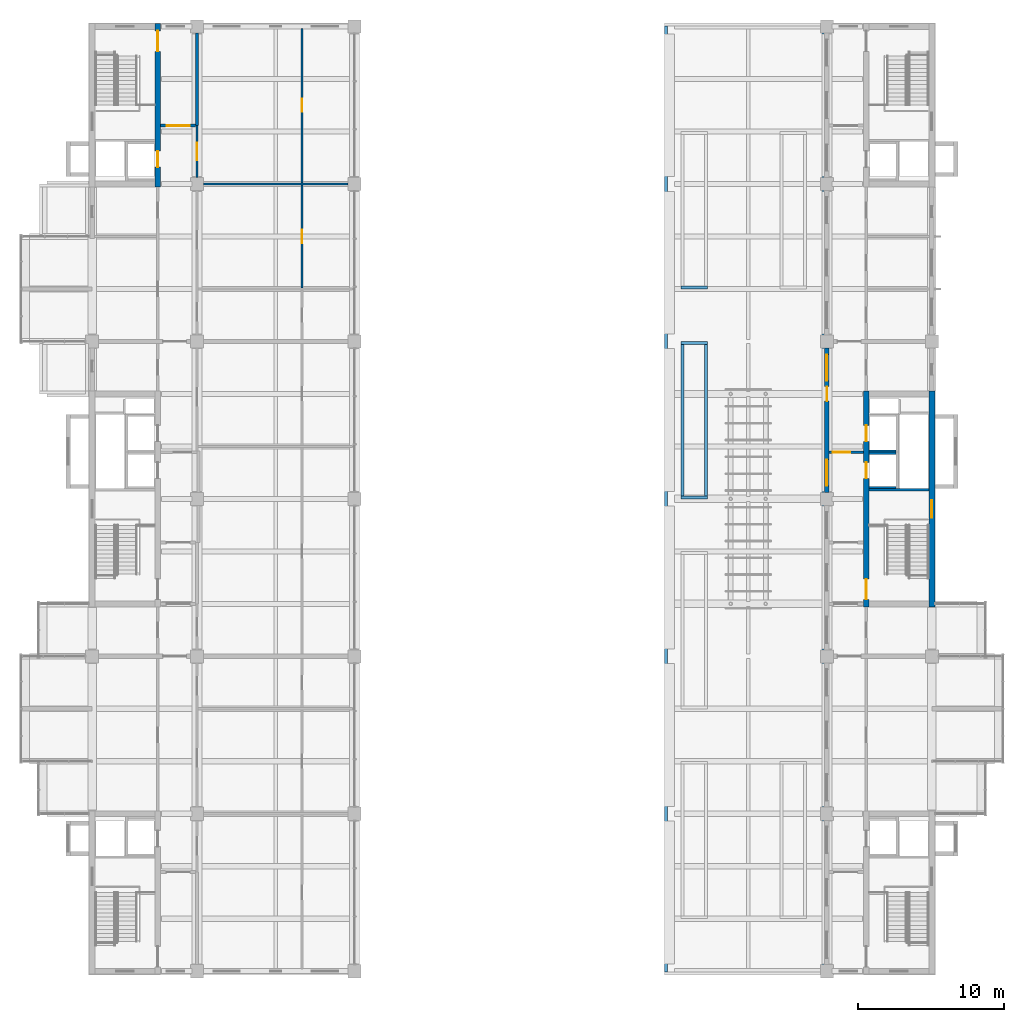
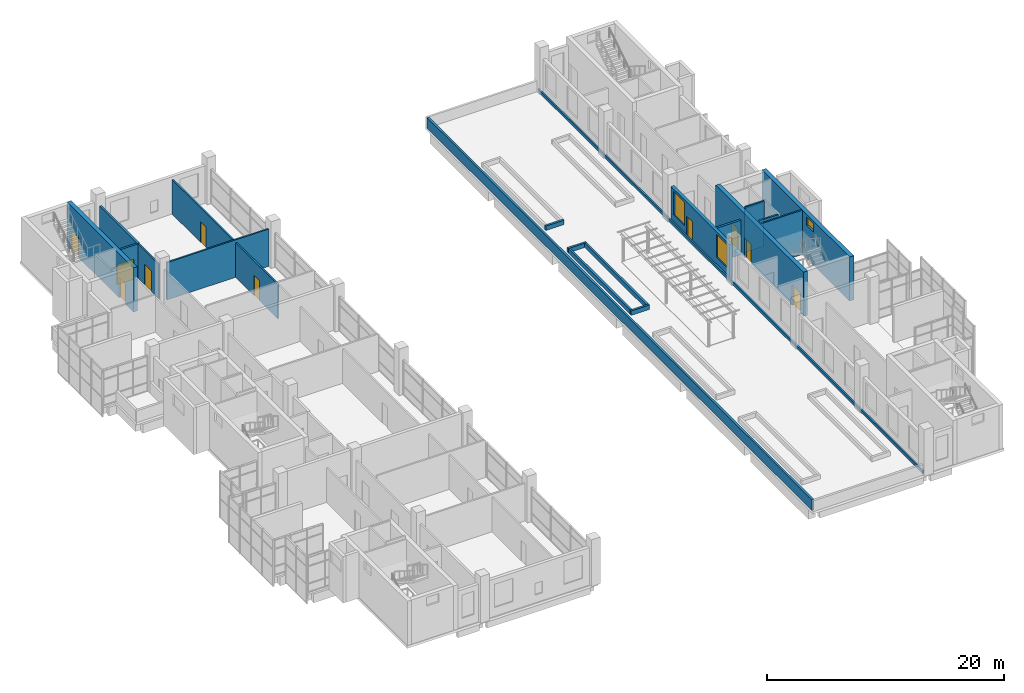
# One storey, part 26 of 32: 22 walls, 11 doors, 3 windows, 14 openings.
"""IFC4 building model written with IfcOpenShell, lengths in metres."""

from ifc_helpers import new_model, si_unit, direction, frame, frame_2d, origin, place, context, subcontext, project, spatial, rectangle, extrude, material, layer, layer_set, type_object, element, fill, save


model = new_model("IFC4")

# Units and contexts
model_context = context("Model", 3, precision=1e-05, world=origin(), true_north=direction((0.0, 1.0)))
body_context = subcontext(model_context, "Body", "Model", "MODEL_VIEW")
ifc_project = project(units=[si_unit("LENGTHUNIT", "METRE"), si_unit("AREAUNIT", "SQUARE_METRE"), si_unit("VOLUMEUNIT", "CUBIC_METRE"), si_unit("PLANEANGLEUNIT", "RADIAN"), si_unit("MASSUNIT", "GRAM", prefix="KILO")], contexts=[model_context])

# Site, building, storey
site_placement = place(None, origin())
site = spatial("IfcSite", under=ifc_project, at=site_placement, CompositionType="ELEMENT")
building_placement = place(site_placement, origin())
building = spatial("IfcBuilding", under=site, at=building_placement, Name="Basin Gate Institute", CompositionType="ELEMENT")
storey_placement = place(building_placement, frame((0.0, 0.0, 41.39990234375)))
storey = spatial("IfcBuildingStorey", under=building, at=storey_placement, Name="L08", CompositionType="ELEMENT", Elevation=41.39990234375)

# Wall, opening, door
ifc_material_1 = material(Name="Fire-rated masonry", Category="masonry")
ifc_layer_1 = layer(ifc_material_1, 0.199951171875)
ifc_layer_set_1 = layer_set([ifc_layer_1], Name="Enclosure wall PW2 200 EI 60")
wall_type_1 = type_object("IfcWallType", Name="Enclosure wall PW2 200 EI 60", PredefinedType="PARTITIONING", material=ifc_layer_set_1)
wall_1_placement = place(storey_placement, frame((65.89990234375, 93.10009765625, 0.0), z_axis=(0.0, 0.0, 1.0), x_axis=(1.0, 0.0, 0.0)))
wall_1 = element("IfcWall", 1, at=wall_1_placement, inside=storey, type_object=wall_type_1, material=ifc_layer_set_1, Name="Smoke lobby enclosure wall PW2 L08", PredefinedType="PARTITIONING", context=body_context, shape_type="SweptSolid", body=[
    extrude(rectangle(XDim=2.400146484375, YDim=0.199951171875, at=frame_2d((1.2001953125, 0.0))), origin(), (0.0, 0.0, 1.0), 3.550048828125),
])
opening_1_placement = place(wall_1_placement, frame((0.39990234375, 0.0, 0.0)))
opening_1 = element("IfcOpeningElement", 2, at=opening_1_placement, cuts=wall_1, Name="Opening DR406", PredefinedType="OPENING", context=body_context, shape_type="SweptSolid", body=[
    extrude(rectangle(XDim=1.60009765625, YDim=2.10009765625, at=frame_2d((0.800048828125, 1.050048828125))), frame((0.0, 0.10986328125, 0.0), z_axis=(0.0, -1.0, 0.0), x_axis=(1.0, 0.0, 0.0)), (0.0, 0.0, 1.0), 0.219970703125),
])
ifc_material_2 = material(Name="Steel fire door", Category="steel")
door_type_1 = type_object("IfcDoorType", Name="FD60 Smoke lobby door pair D8", OperationType="DOUBLE_DOOR_SINGLE_SWING", PredefinedType="DOOR", material=ifc_material_2)
door_1_placement = place(opening_1_placement, origin())
door_1 = element("IfcDoor", 3, at=door_1_placement, inside=storey, type_object=door_type_1, material=ifc_material_2, Name="Smoke lobby door SS3 L08", OperationType="DOUBLE_DOOR_SINGLE_SWING", OverallHeight=2.10009765625, OverallWidth=1.60009765625, PredefinedType="DOOR", context=body_context, shape_type="SweptSolid", body=[
    extrude(rectangle(XDim=1.60009765625, YDim=2.10009765625, at=frame_2d((0.800048828125, 1.050048828125))), frame((0.0, 0.02490234375, 0.0), z_axis=(0.0, -1.0, 0.0), x_axis=(1.0, 0.0, 0.0)), (0.0, 0.0, 1.0), 0.050048828125),
])
fill(opening_1, door_1)

# Wall
wall_2_placement = place(storey_placement, frame((68.39990234375, 93.10009765625, 0.0), z_axis=(0.0, 0.0, 1.0), x_axis=(0.0, 1.0, 0.0)))
element("IfcWall", 4, at=wall_2_placement, inside=storey, type_object=wall_type_1, material=ifc_layer_set_1, Name="Smoke lobby enclosure wall PW2 L08", PredefinedType="PARTITIONING", context=body_context, shape_type="SweptSolid", body=[
    extrude(rectangle(XDim=6.349853515625, YDim=0.199951171875, at=frame_2d((3.1748046875, 0.0))), origin(), (0.0, 0.0, 1.0), 3.550048828125),
])

# Wall, opening, door
wall_3_placement = place(storey_placement, frame((114.10009765625, 70.699951171875, 0.0), z_axis=(0.0, 0.0, 1.0), x_axis=(-1.0, 0.0, 0.0)))
wall_3 = element("IfcWall", 5, at=wall_3_placement, inside=storey, type_object=wall_type_1, material=ifc_layer_set_1, Name="Emergency lift lobby wall PW2 L08", PredefinedType="PARTITIONING", context=body_context, shape_type="SweptSolid", body=[
    extrude(rectangle(XDim=2.35009765625, YDim=0.199951171875, at=frame_2d((1.175048828125, 0.0))), origin(), (0.0, 0.0, 1.0), 3.550048828125),
])
opening_2_placement = place(wall_3_placement, frame((0.89990234375, 0.0, 0.0)))
opening_2 = element("IfcOpeningElement", 6, at=opening_2_placement, cuts=wall_3, Name="Opening DR374", PredefinedType="OPENING", context=body_context, shape_type="SweptSolid", body=[
    extrude(rectangle(XDim=1.199951171875, YDim=2.10009765625, at=frame_2d((0.60009765625, 1.050048828125))), frame((0.0, 0.10986328125, 0.0), z_axis=(0.0, -1.0, 0.0), x_axis=(1.0, 0.0, 0.0)), (0.0, 0.0, 1.0), 0.219970703125),
])
ifc_material_3 = material(Name="Steel fire door", Category="steel")
door_type_2 = type_object("IfcDoorType", Name="FD60 Emergency lift lobby door D9", OperationType="NOTDEFINED", PredefinedType="DOOR", material=ifc_material_3)
door_2_placement = place(opening_2_placement, origin())
door_2 = element("IfcDoor", 7, at=door_2_placement, inside=storey, type_object=door_type_2, material=ifc_material_3, Name="Emergency lift lobby door LF2 L08", OperationType="SINGLE_SWING_RIGHT", OverallHeight=2.10009765625, OverallWidth=1.199951171875, PredefinedType="DOOR", context=body_context, shape_type="SweptSolid", body=[
    extrude(rectangle(XDim=1.199951171875, YDim=2.10009765625, at=frame_2d((0.60009765625, 1.050048828125))), frame((0.0, 0.02490234375, 0.0), z_axis=(0.0, -1.0, 0.0), x_axis=(1.0, 0.0, 0.0)), (0.0, 0.0, 1.0), 0.050048828125),
])
fill(opening_2, door_2)

# Wall, openings, windows, door
ifc_material_4 = material(Name="Aluminium-faced insulated panel wall", Category="aluminium")
ifc_layer_2 = layer(ifc_material_4, 0.300048828125)
ifc_layer_set_2 = layer_set([ifc_layer_2], Name="External wall EW1 EI 120")
wall_type_2 = type_object("IfcWallType", Name="External wall EW1 EI 120", PredefinedType="STANDARD", material=ifc_layer_set_2)
wall_4_placement = place(storey_placement, frame((111.60009765625, 67.949951171875, 0.0), z_axis=(0.0, 0.0, 1.0), x_axis=(0.0, 1.0, 0.0)))
wall_4 = element("IfcWall", 8, at=wall_4_placement, inside=storey, type_object=wall_type_2, material=ifc_layer_set_2, Name="External wall E step face L08 bay 4", PredefinedType="STANDARD", context=body_context, shape_type="SweptSolid", body=[
    extrude(rectangle(XDim=9.900146484375, YDim=0.300048828125, at=frame_2d((4.9501953125, 0.0))), origin(), (0.0, 0.0, 1.0), 3.550048828125),
])
opening_3_placement = place(wall_4_placement, frame((0.449951171875, 0.0, 0.89990234375)))
opening_3 = element("IfcOpeningElement", 9, at=opening_3_placement, cuts=wall_4, Name="Opening WN6", PredefinedType="OPENING", context=body_context, shape_type="SweptSolid", body=[
    extrude(rectangle(XDim=1.800048828125, YDim=2.39990234375, at=frame_2d((0.89990234375, 1.199951171875))), frame((0.0, 0.16015625, 0.0), z_axis=(0.0, -1.0, 0.0), x_axis=(1.0, 0.0, 0.0)), (0.0, 0.0, 1.0), 0.320068359375),
])
opening_4_placement = place(wall_4_placement, frame((7.64990234375, 0.0, 0.89990234375)))
opening_4 = element("IfcOpeningElement", 10, at=opening_4_placement, cuts=wall_4, Name="Opening WN1", PredefinedType="OPENING", context=body_context, shape_type="SweptSolid", body=[
    extrude(rectangle(XDim=1.800048828125, YDim=2.39990234375, at=frame_2d((0.89990234375, 1.199951171875))), frame((0.0, 0.16015625, 0.0), z_axis=(0.0, -1.0, 0.0), x_axis=(1.0, 0.0, 0.0)), (0.0, 0.0, 1.0), 0.320068359375),
])
opening_5_placement = place(wall_4_placement, frame((6.25, 0.0, 0.0)))
opening_5 = element("IfcOpeningElement", 11, at=opening_5_placement, cuts=wall_4, Name="Opening DG1", PredefinedType="OPENING", context=body_context, shape_type="SweptSolid", body=[
    extrude(rectangle(XDim=1.0, YDim=2.10009765625, at=frame_2d((0.5, 1.050048828125))), frame((0.0, 0.16015625, 0.0), z_axis=(0.0, -1.0, 0.0), x_axis=(1.0, 0.0, 0.0)), (0.0, 0.0, 1.0), 0.320068359375),
])
ifc_material_5 = material(Name="Aluminium-framed double glazing", Category="aluminium")
window_type_1 = type_object("IfcWindowType", Name="Facade window WN1", PartitioningType="SINGLE_PANEL", PredefinedType="WINDOW", material=ifc_material_5)
window_1_placement = place(opening_4_placement, origin())
window_1 = element("IfcWindow", 12, at=window_1_placement, inside=storey, type_object=window_type_1, material=ifc_material_5, Name="Facade window E step face L08 bay 4.3", OverallHeight=2.39990234375, OverallWidth=1.800048828125, PartitioningType="SINGLE_PANEL", PredefinedType="WINDOW", context=body_context, shape_type="SweptSolid", body=[
    extrude(rectangle(XDim=1.800048828125, YDim=2.39990234375, at=frame_2d((0.89990234375, 1.199951171875))), frame((0.0, 0.030029296875, 0.0), z_axis=(0.0, -1.0, 0.0), x_axis=(1.0, 0.0, 0.0)), (0.0, 0.0, 1.0), 0.06005859375),
])
fill(opening_4, window_1)
ifc_material_6 = material(Name="Fire-resistant glazing in steel-free frame", Category="steel")
window_type_2 = type_object("IfcWindowType", Name="Fire-rated fixed step window WN6", PartitioningType="SINGLE_PANEL", PredefinedType="WINDOW", material=ifc_material_6)
window_2_placement = place(opening_3_placement, origin())
window_2 = element("IfcWindow", 13, at=window_2_placement, inside=storey, type_object=window_type_2, material=ifc_material_6, Name="Fire-rated fixed step window E step face L08 bay 4.1", OverallHeight=2.39990234375, OverallWidth=1.800048828125, PartitioningType="SINGLE_PANEL", PredefinedType="WINDOW", context=body_context, shape_type="SweptSolid", body=[
    extrude(rectangle(XDim=1.800048828125, YDim=2.39990234375, at=frame_2d((0.89990234375, 1.199951171875))), frame((0.0, 0.030029296875, 0.0), z_axis=(0.0, -1.0, 0.0), x_axis=(1.0, 0.0, 0.0)), (0.0, 0.0, 1.0), 0.06005859375),
])
fill(opening_3, window_2)
ifc_material_7 = material(Name="Steel fire door", Category="steel")
door_type_3 = type_object("IfcDoorType", Name="Garden door DG1", OperationType="NOTDEFINED", PredefinedType="DOOR", material=ifc_material_7)
door_3_placement = place(opening_5_placement, origin())
door_3 = element("IfcDoor", 14, at=door_3_placement, inside=storey, type_object=door_type_3, material=ifc_material_7, Name="Garden door DG1 L08 E", OperationType="SINGLE_SWING_RIGHT", OverallHeight=2.10009765625, OverallWidth=1.0, PredefinedType="DOOR", context=body_context, shape_type="SweptSolid", body=[
    extrude(rectangle(XDim=1.0, YDim=2.10009765625, at=frame_2d((0.5, 1.050048828125))), frame((0.0, 0.02490234375, 0.0), z_axis=(0.0, -1.0, 0.0), x_axis=(1.0, 0.0, 0.0)), (0.0, 0.0, 1.0), 0.050048828125),
])
fill(opening_5, door_3)

# Wall
ifc_material_8 = material(Name="Concrete 40 MPa", Category="concrete")
ifc_layer_3 = layer(ifc_material_8, 0.199951171875)
ifc_layer_set_3 = layer_set([ifc_layer_3], Name="Concrete 40 MPa")
wall_type_3 = type_object("IfcWallType", Name="Parapet wall PA6", PredefinedType="PARAPET", material=ifc_layer_set_3)
wall_5_placement = place(storey_placement, frame((100.550048828125, 35.050048828125, 0.0), z_axis=(0.0, 0.0, 1.0), x_axis=(0.0, 1.0, 0.0)))
element("IfcWall", 15, at=wall_5_placement, inside=storey, type_object=wall_type_3, material=ifc_layer_set_3, Name="Parapet wall PA6 L08 E2", PredefinedType="PARAPET", context=body_context, shape_type="SweptSolid", body=[
    extrude(rectangle(XDim=64.89990234375, YDim=0.199951171875, at=frame_2d((32.449951171875, 0.0))), origin(), (0.0, 0.0, 1.0), 1.10009765625),
])

# Wall, opening, door
ifc_material_9 = material(Name="Gypsum board on steel stud", Category="steel")
ifc_layer_4 = layer(ifc_material_9, 0.14990234375)
ifc_layer_set_4 = layer_set([ifc_layer_4], Name="Gypsum board on steel stud")
wall_type_4 = type_object("IfcWallType", Name="Partition PW1 150 EI 60", PredefinedType="PARTITIONING", material=ifc_layer_set_4)
wall_6_placement = place(storey_placement, frame((68.39990234375, 89.550048828125, 0.0), z_axis=(0.0, 0.0, 1.0), x_axis=(0.0, 1.0, 0.0)))
wall_6 = element("IfcWall", 16, at=wall_6_placement, inside=storey, type_object=wall_type_4, material=ifc_layer_set_4, Name="Laboratory corridor wall PW1 L08", PredefinedType="PARTITIONING", context=body_context, shape_type="SweptSolid", body=[
    extrude(rectangle(XDim=3.550048828125, YDim=0.14990234375, at=frame_2d((1.77490234375, 0.0))), origin(), (0.0, 0.0, 1.0), 3.550048828125),
])
opening_6_placement = place(wall_6_placement, frame((1.175048828125, 0.0, 0.0)))
opening_6 = element("IfcOpeningElement", 17, at=opening_6_placement, cuts=wall_6, Name="Opening DR385", PredefinedType="OPENING", context=body_context, shape_type="SweptSolid", body=[
    extrude(rectangle(XDim=1.199951171875, YDim=2.10009765625, at=frame_2d((0.60009765625, 1.050048828125))), frame((0.0, 0.0849609375, 0.0), z_axis=(0.0, -1.0, 0.0), x_axis=(1.0, 0.0, 0.0)), (0.0, 0.0, 1.0), 0.169921875),
])
ifc_material_10 = material(Name="Timber fire door", Category="wood")
door_type_4 = type_object("IfcDoorType", Name="FD30 Laboratory door D2", OperationType="DOUBLE_DOOR_SINGLE_SWING", PredefinedType="DOOR", material=ifc_material_10)
door_4_placement = place(opening_6_placement, frame((1.199951171875, 0.0, 0.0), z_axis=(0.0, 0.0, 1.0), x_axis=(-1.0, 0.0, 0.0)))
door_4 = element("IfcDoor", 18, at=door_4_placement, inside=storey, type_object=door_type_4, material=ifc_material_10, Name="Door to Air Handling Plant Room 0828 L08", OperationType="DOUBLE_DOOR_SINGLE_SWING", OverallHeight=2.10009765625, OverallWidth=1.199951171875, PredefinedType="DOOR", context=body_context, shape_type="SweptSolid", body=[
    extrude(rectangle(XDim=1.199951171875, YDim=2.10009765625, at=frame_2d((0.60009765625, 1.050048828125))), frame((0.0, 0.02490234375, 0.0), z_axis=(0.0, -1.0, 0.0), x_axis=(1.0, 0.0, 0.0)), (0.0, 0.0, 1.0), 0.050048828125),
])
fill(opening_6, door_4)

wall_7_placement = place(storey_placement, frame((75.60009765625, 81.97509765625, 0.0), z_axis=(0.0, 0.0, 1.0), x_axis=(0.0, 1.0, 0.0)))
wall_7 = element("IfcWall", 19, at=wall_7_placement, inside=storey, type_object=wall_type_4, material=ifc_layer_set_4, Name="Laboratory partition PW1 L08", PredefinedType="PARTITIONING", context=body_context, shape_type="SweptSolid", body=[
    extrude(rectangle(XDim=7.0498046875, YDim=0.14990234375, at=frame_2d((3.52490234375, 0.0))), origin(), (0.0, 0.0, 1.0), 3.550048828125),
])
opening_7_placement = place(wall_7_placement, frame((3.074951171875, 0.0, 0.0)))
opening_7 = element("IfcOpeningElement", 20, at=opening_7_placement, cuts=wall_7, Name="Opening DR400", PredefinedType="OPENING", context=body_context, shape_type="SweptSolid", body=[
    extrude(rectangle(XDim=0.89990234375, YDim=2.10009765625, at=frame_2d((0.449951171875, 1.050048828125))), frame((0.0, 0.0849609375, 0.0), z_axis=(0.0, -1.0, 0.0), x_axis=(1.0, 0.0, 0.0)), (0.0, 0.0, 1.0), 0.169921875),
])
ifc_material_11 = material(Name="Steel fire door", Category="steel")
door_type_5 = type_object("IfcDoorType", Name="FD60 Riser door D10", OperationType="NOTDEFINED", PredefinedType="DOOR", material=ifc_material_11)
door_5_placement = place(opening_7_placement, origin())
door_5 = element("IfcDoor", 21, at=door_5_placement, inside=storey, type_object=door_type_5, material=ifc_material_11, Name="Door to Riser Room 0827 L08", OperationType="SINGLE_SWING_LEFT", OverallHeight=2.10009765625, OverallWidth=0.89990234375, PredefinedType="DOOR", context=body_context, shape_type="SweptSolid", body=[
    extrude(rectangle(XDim=0.89990234375, YDim=2.10009765625, at=frame_2d((0.449951171875, 1.050048828125))), frame((0.0, 0.02490234375, 0.0), z_axis=(0.0, -1.0, 0.0), x_axis=(1.0, 0.0, 0.0)), (0.0, 0.0, 1.0), 0.050048828125),
])
fill(opening_7, door_5)

wall_8_placement = place(storey_placement, frame((75.60009765625, 89.175048828125, 0.0), z_axis=(0.0, 0.0, 1.0), x_axis=(0.0, 1.0, 0.0)))
wall_8 = element("IfcWall", 22, at=wall_8_placement, inside=storey, type_object=wall_type_4, material=ifc_layer_set_4, Name="Laboratory partition PW1 L08", PredefinedType="PARTITIONING", context=body_context, shape_type="SweptSolid", body=[
    extrude(rectangle(XDim=10.574951171875, YDim=0.14990234375, at=frame_2d((5.28759765625, 0.0))), origin(), (0.0, 0.0, 1.0), 3.550048828125),
])
opening_8_placement = place(wall_8_placement, frame((4.875, 0.0, 0.0)))
opening_8 = element("IfcOpeningElement", 23, at=opening_8_placement, cuts=wall_8, Name="Opening DR401", PredefinedType="OPENING", context=body_context, shape_type="SweptSolid", body=[
    extrude(rectangle(XDim=0.89990234375, YDim=2.10009765625, at=frame_2d((0.449951171875, 1.050048828125))), frame((0.0, 0.0849609375, 0.0), z_axis=(0.0, -1.0, 0.0), x_axis=(1.0, 0.0, 0.0)), (0.0, 0.0, 1.0), 0.169921875),
])
door_6_placement = place(opening_8_placement, origin())
door_6 = element("IfcDoor", 24, at=door_6_placement, inside=storey, type_object=door_type_5, material=ifc_material_11, Name="Door to Riser Room 0829 L08", OperationType="SINGLE_SWING_LEFT", OverallHeight=2.10009765625, OverallWidth=0.89990234375, PredefinedType="DOOR", context=body_context, shape_type="SweptSolid", body=[
    extrude(rectangle(XDim=0.89990234375, YDim=2.10009765625, at=frame_2d((0.449951171875, 1.050048828125))), frame((0.0, 0.02490234375, 0.0), z_axis=(0.0, -1.0, 0.0), x_axis=(1.0, 0.0, 0.0)), (0.0, 0.0, 1.0), 0.050048828125),
])
fill(opening_8, door_6)

# Walls
wall_9_placement = place(storey_placement, frame((68.85009765625, 89.10009765625, 0.0), z_axis=(0.0, 0.0, 1.0), x_axis=(1.0, 0.0, 0.0)))
element("IfcWall", 25, at=wall_9_placement, inside=storey, type_object=wall_type_4, material=ifc_layer_set_4, Name="Laboratory partition PW1 L08", PredefinedType="PARTITIONING", context=body_context, shape_type="SweptSolid", body=[
    extrude(rectangle(XDim=9.89990234375, YDim=0.14990234375, at=frame_2d((4.949951171875, 0.0))), origin(), (0.0, 0.0, 1.0), 3.85009765625),
])
ifc_material_12 = material(Name="Concrete 40 MPa", Category="concrete")
ifc_layer_5 = layer(ifc_material_12, 0.199951171875)
ifc_layer_set_5 = layer_set([ifc_layer_5], Name="Concrete 40 MPa")
wall_type_5 = type_object("IfcWallType", Name="Planter wall PT1", PredefinedType="SOLIDWALL", material=ifc_layer_set_5)
for number, where, z_axis, x_axis, name in (
    (26, (101.60009765625, 67.60009765625, 0.0), (0.0, 0.0, 1.0), (1.0, 0.0, 0.0), "Planter wall PT1 E3"),
    (27, (101.60009765625, 78.199951171875, 0.0), (0.0, 0.0, 1.0), (1.0, 0.0, 0.0), "Planter wall PT1 E3"),
):
    element("IfcWall", number, at=place(storey_placement, frame(where, z_axis=z_axis, x_axis=x_axis)), inside=storey, type_object=wall_type_5, material=ifc_layer_set_5, Name=name, PredefinedType="SOLIDWALL", context=body_context, shape_type="SweptSolid", body=[
        extrude(rectangle(XDim=1.7998046875, YDim=0.199951171875, at=frame_2d((0.89990234375, 0.0))), origin(), (0.0, 0.0, 1.0), 0.4501953125),
    ])
for number, where, z_axis, x_axis, name in (
    (28, (101.699951171875, 67.699951171875, 0.0), (0.0, 0.0, 1.0), (0.0, 1.0, 0.0), "Planter wall PT1 E3"),
    (29, (103.300048828125, 67.699951171875, 0.0), (0.0, 0.0, 1.0), (0.0, 1.0, 0.0), "Planter wall PT1 E3"),
):
    element("IfcWall", number, at=place(storey_placement, frame(where, z_axis=z_axis, x_axis=x_axis)), inside=storey, type_object=wall_type_5, material=ifc_layer_set_5, Name=name, PredefinedType="SOLIDWALL", context=body_context, shape_type="SweptSolid", body=[
        extrude(rectangle(XDim=10.400146484375, YDim=0.199951171875, at=frame_2d((5.2001953125, 0.0))), origin(), (0.0, 0.0, 1.0), 0.4501953125),
    ])
wall_10_placement = place(storey_placement, frame((101.60009765625, 82.0, 0.0), z_axis=(0.0, 0.0, 1.0), x_axis=(1.0, 0.0, 0.0)))
element("IfcWall", 30, at=wall_10_placement, inside=storey, type_object=wall_type_5, material=ifc_layer_set_5, Name="Planter wall PT1 E4", PredefinedType="SOLIDWALL", context=body_context, shape_type="SweptSolid", body=[
    extrude(rectangle(XDim=1.7998046875, YDim=0.199951171875, at=frame_2d((0.89990234375, 0.0))), origin(), (0.0, 0.0, 1.0), 0.4501953125),
])
ifc_material_13 = material(Name="Concrete 40 MPa", Category="concrete")
ifc_layer_6 = layer(ifc_material_13, 0.14990234375)
ifc_layer_set_6 = layer_set([ifc_layer_6], Name="Concrete 40 MPa")
wall_type_6 = type_object("IfcWallType", Name="Upstand wall UP1", PredefinedType="PARAPET", material=ifc_layer_set_6)
wall_11_placement = place(storey_placement, frame((111.324951171875, 35.050048828125, 0.0), z_axis=(0.0, 0.0, 1.0), x_axis=(0.0, 1.0, 0.0)))
element("IfcWall", 31, at=wall_11_placement, inside=storey, type_object=wall_type_6, material=ifc_layer_set_6, Name="Upstand wall UP1 L08 E", PredefinedType="PARAPET", context=body_context, shape_type="SweptSolid", body=[
    extrude(rectangle(XDim=64.89990234375, YDim=0.14990234375, at=frame_2d((32.449951171875, 0.0))), origin(), (0.0, 0.0, 1.0), 0.300048828125),
])
ifc_material_14 = material(Name="Concrete 40 MPa", Category="concrete")
ifc_layer_7 = layer(ifc_material_14, 0.14990234375)
ifc_layer_set_7 = layer_set([ifc_layer_7], Name="Concrete 40 MPa")
wall_type_7 = type_object("IfcWallType", Name="Wall LS1 lift shaft enclosure R120", PredefinedType="SOLIDWALL", material=ifc_layer_set_7)
for number, where, z_axis, x_axis, name in (
    (32, (116.35009765625, 68.27490234375, 0.0), (0.0, 0.0, 1.0), (-1.0, 0.0, 0.0), "Lift shaft enclosure LF2 L08 RL"),
    (33, (116.35009765625, 70.625, 0.0), (0.0, 0.0, 1.0), (-1.0, 0.0, 0.0), "Lift shaft enclosure LF2 L08 RH"),
):
    element("IfcWall", number, at=place(storey_placement, frame(where, z_axis=z_axis, x_axis=x_axis)), inside=storey, type_object=wall_type_7, material=ifc_layer_set_7, Name=name, PredefinedType="SOLIDWALL", context=body_context, shape_type="SweptSolid", body=[
        extrude(rectangle(XDim=1.85009765625, YDim=0.14990234375, at=frame_2d((0.925048828125, 0.0))), origin(), (0.0, 0.0, 1.0), 4.800048828125),
    ])
wall_12_placement = place(storey_placement, frame((116.35009765625, 70.77490234375, 0.0), z_axis=(0.0, 0.0, 1.0), x_axis=(-1.0, 0.0, 0.0)))
element("IfcWall", 34, at=wall_12_placement, inside=storey, type_object=wall_type_7, material=ifc_layer_set_7, Name="Lift shaft enclosure LP5 L08 RL", PredefinedType="SOLIDWALL", context=body_context, shape_type="SweptSolid", body=[
    extrude(rectangle(XDim=1.85009765625, YDim=0.14990234375, at=frame_2d((0.925048828125, 0.0))), origin(), (0.0, 0.0, 1.0), 4.550048828125),
])
ifc_material_15 = material(Name="Concrete 40 MPa", Category="concrete")
ifc_layer_8 = layer(ifc_material_15, 0.14990234375)
ifc_layer_set_8 = layer_set([ifc_layer_8], Name="Concrete 40 MPa")
wall_type_8 = type_object("IfcWallType", Name="Wall SE1 stair enclosure R120", PredefinedType="SOLIDWALL", material=ifc_layer_set_8)
wall_13_placement = place(storey_placement, frame((118.60009765625, 68.125, 0.0), z_axis=(0.0, 0.0, 1.0), x_axis=(-1.0, 0.0, 0.0)))
element("IfcWall", 35, at=wall_13_placement, inside=storey, type_object=wall_type_8, material=ifc_layer_set_8, Name="Stair enclosure wall ST-EM L08", PredefinedType="SOLIDWALL", context=body_context, shape_type="SweptSolid", body=[
    extrude(rectangle(XDim=4.10009765625, YDim=0.14990234375, at=frame_2d((2.050048828125, 0.0))), origin(), (0.0, 0.0, 1.0), 4.550048828125),
])

# Wall, openings, doors
ifc_material_16 = material(Name="Concrete 50 MPa", Category="concrete")
ifc_layer_9 = layer(ifc_material_16, 0.39990234375)
ifc_layer_set_9 = layer_set([ifc_layer_9], Name="Concrete 50 MPa")
wall_type_9 = type_object("IfcWallType", Name="Wall SW2 R120", PredefinedType="SHEAR", material=ifc_layer_set_9)
wall_14_placement = place(storey_placement, frame((65.699951171875, 88.89990234375, 0.0), z_axis=(0.0, 0.0, 1.0), x_axis=(0.0, 1.0, 0.0)))
wall_14 = element("IfcWall", 36, at=wall_14_placement, inside=storey, type_object=wall_type_9, material=ifc_layer_set_9, Name="WALL/L08/WN/C", PredefinedType="SHEAR", context=body_context, shape_type="SweptSolid", body=[
    extrude(rectangle(XDim=11.2001953125, YDim=0.39990234375, at=frame_2d((5.60009765625, 0.0))), origin(), (0.0, 0.0, 1.0), 4.550048828125),
])
opening_9_placement = place(wall_14_placement, frame((9.300048828125, 0.0, 0.0)))
opening_9 = element("IfcOpeningElement", 37, at=opening_9_placement, cuts=wall_14, Name="Opening DS051", PredefinedType="OPENING", context=body_context, shape_type="SweptSolid", body=[
    extrude(rectangle(XDim=1.39990234375, YDim=2.10009765625, at=frame_2d((0.699951171875, 1.050048828125))), frame((0.0, 0.2099609375, 0.0), z_axis=(0.0, -1.0, 0.0), x_axis=(1.0, 0.0, 0.0)), (0.0, 0.0, 1.0), 0.419921875),
])
opening_10_placement = place(wall_14_placement, frame((1.35009765625, 0.0, 0.0)))
opening_10 = element("IfcOpeningElement", 38, at=opening_10_placement, cuts=wall_14, Name="Opening LD063", PredefinedType="OPENING", context=body_context, shape_type="SweptSolid", body=[
    extrude(rectangle(XDim=1.10009765625, YDim=2.10009765625, at=frame_2d((0.550048828125, 1.050048828125))), frame((0.0, 0.2099609375, 0.0), z_axis=(0.0, -1.0, 0.0), x_axis=(1.0, 0.0, 0.0)), (0.0, 0.0, 1.0), 0.419921875),
])
ifc_material_17 = material(Name="Steel fire door", Category="steel")
door_type_6 = type_object("IfcDoorType", Name="FD30 Stair enclosure door DS", OperationType="DOUBLE_DOOR_SINGLE_SWING", PredefinedType="DOOR", material=ifc_material_17)
door_7_placement = place(opening_9_placement, origin())
door_7 = element("IfcDoor", 39, at=door_7_placement, inside=storey, type_object=door_type_6, material=ifc_material_17, Name="Stair enclosure door ST-WN L08", OperationType="DOUBLE_DOOR_SINGLE_SWING", OverallHeight=2.10009765625, OverallWidth=1.39990234375, PredefinedType="DOOR", context=body_context, shape_type="SweptSolid", body=[
    extrude(rectangle(XDim=1.39990234375, YDim=2.10009765625, at=frame_2d((0.699951171875, 1.050048828125))), frame((0.0, 0.02490234375, 0.0), z_axis=(0.0, -1.0, 0.0), x_axis=(1.0, 0.0, 0.0)), (0.0, 0.0, 1.0), 0.050048828125),
])
fill(opening_9, door_7)
ifc_material_18 = material(Name="Stainless steel", Category="steel")
door_type_7 = type_object("IfcDoorType", Name="FD60 Lift landing door LD", OperationType="SLIDING_TO_LEFT", PredefinedType="DOOR", material=ifc_material_18)
door_8_placement = place(opening_10_placement, origin())
door_8 = element("IfcDoor", 40, at=door_8_placement, inside=storey, type_object=door_type_7, material=ifc_material_18, Name="Lift landing door LP3 L08", OperationType="SLIDING_TO_LEFT", OverallHeight=2.10009765625, OverallWidth=1.10009765625, PredefinedType="DOOR", context=body_context, shape_type="SweptSolid", body=[
    extrude(rectangle(XDim=1.10009765625, YDim=2.10009765625, at=frame_2d((0.550048828125, 1.050048828125))), frame((0.0, 0.02490234375, 0.0), z_axis=(0.0, -1.0, 0.0), x_axis=(1.0, 0.0, 0.0)), (0.0, 0.0, 1.0), 0.050048828125),
])
fill(opening_10, door_8)

# Wall, opening, window
wall_15_placement = place(storey_placement, frame((118.800048828125, 60.10009765625, 0.0), z_axis=(0.0, 0.0, 1.0), x_axis=(0.0, 1.0, 0.0)))
wall_15 = element("IfcWall", 41, at=wall_15_placement, inside=storey, type_object=wall_type_9, material=ifc_layer_set_9, Name="WALL/L08/EM/L", PredefinedType="SHEAR", context=body_context, shape_type="SweptSolid", body=[
    extrude(rectangle(XDim=14.7998046875, YDim=0.39990234375, at=frame_2d((7.39990234375, 0.0))), origin(), (0.0, 0.0, 1.0), 4.550048828125),
])
opening_11_placement = place(wall_15_placement, frame((6.110107421875, 0.0, 3.39990234375)))
opening_11 = element("IfcOpeningElement", 42, at=opening_11_placement, cuts=wall_15, Name="Opening WT2", PredefinedType="OPENING", context=body_context, shape_type="SweptSolid", body=[
    extrude(rectangle(XDim=1.199951171875, YDim=0.89990234375, at=frame_2d((0.60009765625, 0.449951171875))), frame((0.0, 0.2099609375, 0.0), z_axis=(0.0, -1.0, 0.0), x_axis=(1.0, 0.0, 0.0)), (0.0, 0.0, 1.0), 0.419921875),
])
ifc_material_19 = material(Name="Fire-resistant glazing in steel-free frame", Category="steel")
window_type_3 = type_object("IfcWindowType", Name="Rated stair window EI 120 WT2", PartitioningType="SINGLE_PANEL", PredefinedType="WINDOW", material=ifc_material_19)
window_3_placement = place(opening_11_placement, origin())
window_3 = element("IfcWindow", 43, at=window_3_placement, inside=storey, type_object=window_type_3, material=ifc_material_19, Name="Rated stair window EI 120 EM landing L08", OverallHeight=0.89990234375, OverallWidth=1.199951171875, PartitioningType="SINGLE_PANEL", PredefinedType="WINDOW", context=body_context, shape_type="SweptSolid", body=[
    extrude(rectangle(XDim=1.199951171875, YDim=0.89990234375, at=frame_2d((0.60009765625, 0.449951171875))), frame((0.0, 0.030029296875, 0.0), z_axis=(0.0, -1.0, 0.0), x_axis=(1.0, 0.0, 0.0)), (0.0, 0.0, 1.0), 0.06005859375),
])
fill(opening_11, window_3)

# Wall, openings, doors
wall_16_placement = place(storey_placement, frame((114.300048828125, 60.10009765625, 0.0), z_axis=(0.0, 0.0, 1.0), x_axis=(0.0, 1.0, 0.0)))
wall_16 = element("IfcWall", 44, at=wall_16_placement, inside=storey, type_object=wall_type_9, material=ifc_layer_set_9, Name="WALL/L08/EM/C", PredefinedType="SHEAR", context=body_context, shape_type="SweptSolid", body=[
    extrude(rectangle(XDim=14.7998046875, YDim=0.39990234375, at=frame_2d((7.39990234375, 0.0))), origin(), (0.0, 0.0, 1.0), 4.550048828125),
])
opening_12_placement = place(wall_16_placement, frame((0.5, 0.0, 0.0)))
opening_12 = element("IfcOpeningElement", 45, at=opening_12_placement, cuts=wall_16, Name="Opening DS053", PredefinedType="OPENING", context=body_context, shape_type="SweptSolid", body=[
    extrude(rectangle(XDim=1.39990234375, YDim=2.10009765625, at=frame_2d((0.699951171875, 1.050048828125))), frame((0.0, 0.2099609375, 0.0), z_axis=(0.0, -1.0, 0.0), x_axis=(1.0, 0.0, 0.0)), (0.0, 0.0, 1.0), 0.419921875),
])
opening_13_placement = place(wall_16_placement, frame((8.800048828125, 0.0, 0.0)))
opening_13 = element("IfcOpeningElement", 46, at=opening_13_placement, cuts=wall_16, Name="Opening LD091", PredefinedType="OPENING", context=body_context, shape_type="SweptSolid", body=[
    extrude(rectangle(XDim=1.10009765625, YDim=2.10009765625, at=frame_2d((0.550048828125, 1.050048828125))), frame((0.0, 0.2099609375, 0.0), z_axis=(0.0, -1.0, 0.0), x_axis=(1.0, 0.0, 0.0)), (0.0, 0.0, 1.0), 0.419921875),
])
opening_14_placement = place(wall_16_placement, frame((11.35009765625, 0.0, 0.0)))
opening_14 = element("IfcOpeningElement", 47, at=opening_14_placement, cuts=wall_16, Name="Opening LD103", PredefinedType="OPENING", context=body_context, shape_type="SweptSolid", body=[
    extrude(rectangle(XDim=1.10009765625, YDim=2.10009765625, at=frame_2d((0.550048828125, 1.050048828125))), frame((0.0, 0.2099609375, 0.0), z_axis=(0.0, -1.0, 0.0), x_axis=(1.0, 0.0, 0.0)), (0.0, 0.0, 1.0), 0.419921875),
])
door_9_placement = place(opening_12_placement, frame((1.39990234375, 0.0, 0.0), z_axis=(0.0, 0.0, 1.0), x_axis=(-1.0, 0.0, 0.0)))
door_9 = element("IfcDoor", 48, at=door_9_placement, inside=storey, type_object=door_type_6, material=ifc_material_17, Name="Stair enclosure door ST-EM L08", OperationType="DOUBLE_DOOR_SINGLE_SWING", OverallHeight=2.10009765625, OverallWidth=1.39990234375, PredefinedType="DOOR", context=body_context, shape_type="SweptSolid", body=[
    extrude(rectangle(XDim=1.39990234375, YDim=2.10009765625, at=frame_2d((0.699951171875, 1.050048828125))), frame((0.0, 0.02490234375, 0.0), z_axis=(0.0, -1.0, 0.0), x_axis=(1.0, 0.0, 0.0)), (0.0, 0.0, 1.0), 0.050048828125),
])
fill(opening_12, door_9)
door_10_placement = place(opening_13_placement, origin())
door_10 = element("IfcDoor", 49, at=door_10_placement, inside=storey, type_object=door_type_7, material=ifc_material_18, Name="Lift landing door LF2 L08", OperationType="SLIDING_TO_LEFT", OverallHeight=2.10009765625, OverallWidth=1.10009765625, PredefinedType="DOOR", context=body_context, shape_type="SweptSolid", body=[
    extrude(rectangle(XDim=1.10009765625, YDim=2.10009765625, at=frame_2d((0.550048828125, 1.050048828125))), frame((0.0, 0.02490234375, 0.0), z_axis=(0.0, -1.0, 0.0), x_axis=(1.0, 0.0, 0.0)), (0.0, 0.0, 1.0), 0.050048828125),
])
fill(opening_13, door_10)
door_11_placement = place(opening_14_placement, origin())
door_11 = element("IfcDoor", 50, at=door_11_placement, inside=storey, type_object=door_type_7, material=ifc_material_18, Name="Lift landing door LP5 L08", OperationType="SLIDING_TO_LEFT", OverallHeight=2.10009765625, OverallWidth=1.10009765625, PredefinedType="DOOR", context=body_context, shape_type="SweptSolid", body=[
    extrude(rectangle(XDim=1.10009765625, YDim=2.10009765625, at=frame_2d((0.550048828125, 1.050048828125))), frame((0.0, 0.02490234375, 0.0), z_axis=(0.0, -1.0, 0.0), x_axis=(1.0, 0.0, 0.0)), (0.0, 0.0, 1.0), 0.050048828125),
])
fill(opening_14, door_11)

save(model, "model.ifc")
